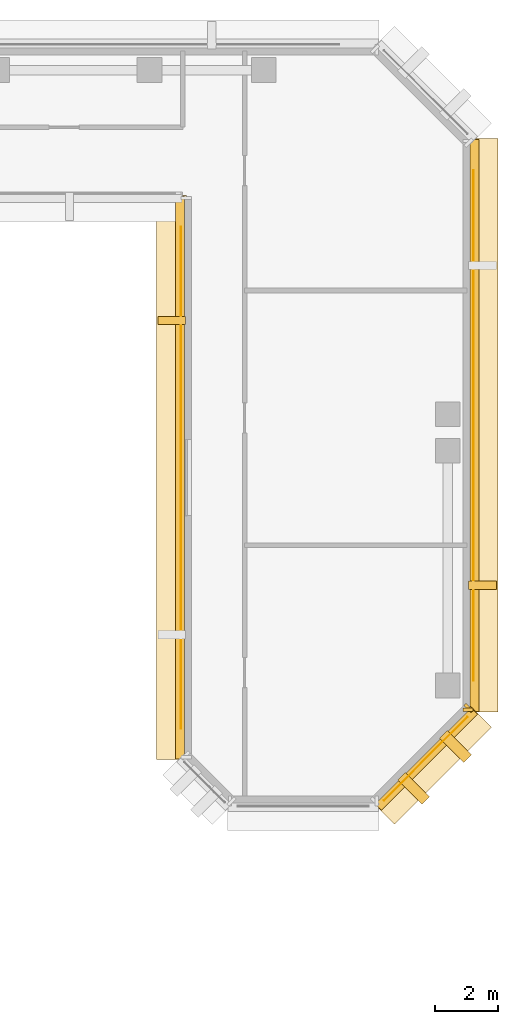
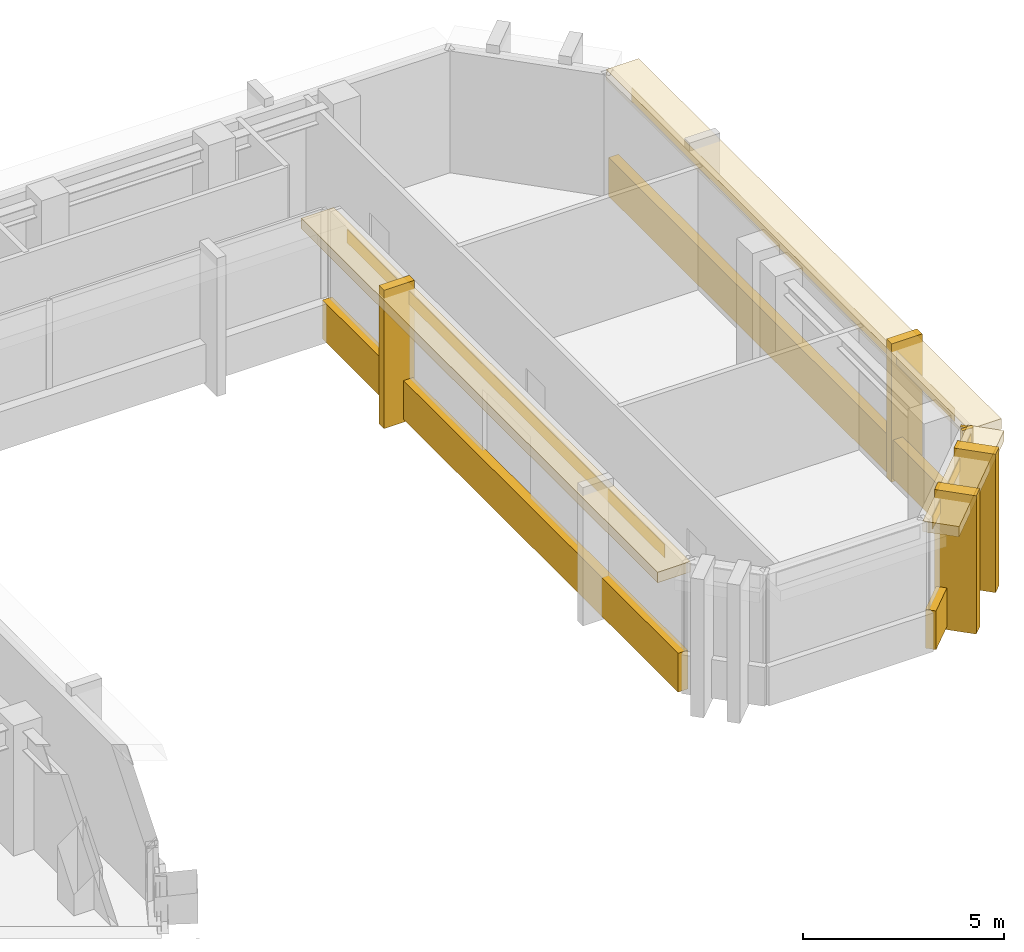
# One storey, part 9 of 11: 15 coverings.
"""IFC4 building model written with IfcOpenShell, lengths in metres."""

from ifc_helpers import new_model, si_unit, direction, frame, origin, origin_2d, place, context, subcontext, project, spatial, rectangle, extrude, material, layer, layer_set, type_object, element, save


model = new_model("IFC4")

# Units and contexts
model_context = context("Model", 3, precision=1e-05, world=origin(), true_north=direction((0.0, 1.0)))
body_context = subcontext(model_context, "Body", "Model", "MODEL_VIEW")
ifc_project = project(units=[si_unit("LENGTHUNIT", "METRE"), si_unit("AREAUNIT", "SQUARE_METRE"), si_unit("VOLUMEUNIT", "CUBIC_METRE"), si_unit("PLANEANGLEUNIT", "RADIAN"), si_unit("MASSUNIT", "GRAM", prefix="KILO")], contexts=[model_context])

# Site, building, storey
site_placement = place(None, origin())
site = spatial("IfcSite", under=ifc_project, at=site_placement, CompositionType="ELEMENT")
building_placement = place(site_placement, origin())
building = spatial("IfcBuilding", under=site, at=building_placement, Name="Kefirva Bronze Tower", CompositionType="ELEMENT")
storey_placement = place(building_placement, frame((0.0, 0.0, 223.739990234375)))
storey = spatial("IfcBuildingStorey", under=building, at=storey_placement, Name="L54", CompositionType="ELEMENT", Elevation=223.739990234375)

# Coverings
ifc_material = material(Name="Bronze anodised aluminium", Category="aluminium")
ifc_layer_1 = layer(ifc_material, 0.02001953125, Name="Bronze anodised aluminium")
ifc_layer_set_1 = layer_set([ifc_layer_1], Name="Bronze anodised aluminium")
covering_type_1 = type_object("IfcCoveringType", Name="Anodised Bronze Spandrel Cladding 20mm", PredefinedType="CLADDING", material=ifc_layer_set_1)
covering_1_placement = place(storey_placement, frame((40.989990234375, 32.35009765625, 3.2900390625), z_axis=(0.0, 0.0, 1.0), x_axis=(0.0, -1.0, 0.0)))
element("IfcCovering", 1, at=covering_1_placement, inside=storey, type_object=covering_type_1, Name="L54 Bronze Spandrel Cladding 5", PredefinedType="CLADDING", context=body_context, shape_type="SweptSolid", body=[
    extrude(rectangle(XDim=15.8310546875, YDim=0.02001953125, at=origin_2d()), origin(), (0.0, 0.0, 1.0), 0.39990234375),
])
covering_2_placement = place(storey_placement, frame((40.9599609375, 32.35009765625, -0.16015625), z_axis=(0.0, 0.0, 1.0), x_axis=(0.0, -1.0, 0.0)))
element("IfcCovering", 2, at=covering_2_placement, inside=storey, type_object=covering_type_1, Name="L54 Streamline Horizontal Spandrel Band 7", PredefinedType="CLADDING", context=body_context, shape_type="SweptSolid", body=[
    extrude(rectangle(XDim=17.739990234375, YDim=0.280029296875, at=origin_2d()), origin(), (0.0, 0.0, 1.0), 1.179931640625),
])
covering_3_placement = place(storey_placement, frame((48.70703125, 23.492919921875, 3.2900390625), z_axis=(0.0, 0.0, 1.0), x_axis=(0.707106781187, 0.707106781187, 0.0)))
element("IfcCovering", 3, at=covering_3_placement, inside=storey, type_object=covering_type_1, Name="L54 Bronze Spandrel Cladding 8", PredefinedType="CLADDING", context=body_context, shape_type="SweptSolid", body=[
    extrude(rectangle(XDim=3.719482421875, YDim=0.02001953125, at=origin_2d()), origin(), (0.0, 0.0, 1.0), 0.39990234375),
])
covering_4_placement = place(storey_placement, frame((50.06201171875, 25.08837890625, 0.0), z_axis=(0.0, 0.0, 1.0), x_axis=(0.707106781187, 0.707106781187, 0.0)))
element("IfcCovering", 4, at=covering_4_placement, inside=storey, type_object=covering_type_1, Name="L54 Facade Joint Closure Panel 8E", PredefinedType="CLADDING", context=body_context, shape_type="SweptSolid", body=[
    extrude(rectangle(XDim=0.10009765625, YDim=0.320068359375, at=origin_2d()), origin(), (0.0, 0.0, 1.0), 3.7099609375),
])
covering_5_placement = place(storey_placement, frame((48.728271484375, 23.4716796875, -0.16015625), z_axis=(0.0, 0.0, 1.0), x_axis=(0.707106781187, 0.707106781187, 0.0)))
element("IfcCovering", 5, at=covering_5_placement, inside=storey, type_object=covering_type_1, Name="L54 Streamline Horizontal Spandrel Band 10", PredefinedType="CLADDING", context=body_context, shape_type="SweptSolid", body=[
    extrude(rectangle(XDim=4.28271484375, YDim=0.280029296875, at=origin_2d()), origin(), (0.0, 0.0, 1.0), 1.179931640625),
])
covering_6_placement = place(storey_placement, frame((50.2099609375, 34.0, 3.2900390625), z_axis=(0.0, 0.0, 1.0), x_axis=(0.0, 1.0, 0.0)))
element("IfcCovering", 6, at=covering_6_placement, inside=storey, type_object=covering_type_1, Name="L54 Bronze Spandrel Cladding 9", PredefinedType="CLADDING", context=body_context, shape_type="SweptSolid", body=[
    extrude(rectangle(XDim=16.10107421875, YDim=0.02001953125, at=origin_2d()), origin(), (0.0, 0.0, 1.0), 0.39990234375),
])
covering_7_placement = place(storey_placement, frame((50.0400390625, 25.034912109375, 0.0), z_axis=(0.0, 0.0, 1.0), x_axis=(0.0, 1.0, 0.0)))
element("IfcCovering", 7, at=covering_7_placement, inside=storey, type_object=covering_type_1, Name="L54 Facade Joint Closure Panel 9S", PredefinedType="CLADDING", context=body_context, shape_type="SweptSolid", body=[
    extrude(rectangle(XDim=0.10009765625, YDim=0.320068359375, at=origin_2d()), origin(), (0.0, 0.0, 1.0), 3.7099609375),
])
covering_8_placement = place(storey_placement, frame((50.239990234375, 34.0, -0.16015625), z_axis=(0.0, 0.0, 1.0), x_axis=(0.0, 1.0, 0.0)))
element("IfcCovering", 8, at=covering_8_placement, inside=storey, type_object=covering_type_1, Name="L54 Streamline Horizontal Spandrel Band 11", PredefinedType="CLADDING", context=body_context, shape_type="SweptSolid", body=[
    extrude(rectangle(XDim=18.0400390625, YDim=0.280029296875, at=origin_2d()), origin(), (0.0, 0.0, 1.0), 1.179931640625),
])
ifc_layer_2 = layer(ifc_material, 0.179931640625, Name="Bronze anodised aluminium")
ifc_layer_set_2 = layer_set([ifc_layer_2], Name="Bronze anodised aluminium")
covering_type_2 = type_object("IfcCoveringType", Name="Streamline Bronze Sunshade Eyebrow Cladding 180mm", PredefinedType="CLADDING", material=ifc_layer_set_2)
covering_9_placement = place(storey_placement, frame((40.68994140625, 32.35009765625, 3.39013671875), z_axis=(0.0, 0.0, 1.0), x_axis=(0.0, -1.0, 0.0)))
element("IfcCovering", 9, at=covering_9_placement, inside=storey, type_object=covering_type_2, Name="L54 Streamline Bronze Sunshade Eyebrow 7", PredefinedType="CLADDING", context=body_context, shape_type="SweptSolid", body=[
    extrude(rectangle(XDim=17.780029296875, YDim=0.93994140625, at=origin_2d()), origin(), (0.0, 0.0, 1.0), 0.320068359375),
])
covering_10_placement = place(storey_placement, frame((48.919189453125, 23.28076171875, 3.39013671875), z_axis=(0.0, 0.0, 1.0), x_axis=(0.707106781187, 0.707106781187, 0.0)))
element("IfcCovering", 10, at=covering_10_placement, inside=storey, type_object=covering_type_2, Name="L54 Streamline Bronze Sunshade Eyebrow 10", PredefinedType="CLADDING", context=body_context, shape_type="SweptSolid", body=[
    extrude(rectangle(XDim=4.322509765625, YDim=0.93994140625, at=origin_2d()), origin(), (0.0, 0.0, 1.0), 0.320068359375),
])
covering_11_placement = place(storey_placement, frame((50.510009765625, 34.0, 3.39013671875), z_axis=(0.0, 0.0, 1.0), x_axis=(0.0, 1.0, 0.0)))
element("IfcCovering", 11, at=covering_11_placement, inside=storey, type_object=covering_type_2, Name="L54 Streamline Bronze Sunshade Eyebrow 11", PredefinedType="CLADDING", context=body_context, shape_type="SweptSolid", body=[
    extrude(rectangle(XDim=18.080078125, YDim=0.93994140625, at=origin_2d()), origin(), (0.0, 0.0, 1.0), 0.320068359375),
])
ifc_layer_3 = layer(ifc_material, 0.260009765625, Name="Bronze anodised aluminium")
ifc_layer_set_3 = layer_set([ifc_layer_3], Name="Bronze anodised aluminium")
covering_type_3 = type_object("IfcCoveringType", Name="Unbroken Bronze Buttress Fin Cladding 260mm", PredefinedType="CLADDING", material=ifc_layer_set_3)
covering_12_placement = place(storey_placement, frame((40.699951171875, 37.305908203125, -0.25), z_axis=(0.0, 0.0, 1.0), x_axis=(0.0, -1.0, 0.0)))
element("IfcCovering", 12, at=covering_12_placement, inside=storey, type_object=covering_type_3, Name="L54 Unbroken Vertical Bronze Rib Fin 13", PredefinedType="CLADDING", context=body_context, shape_type="SweptSolid", body=[
    extrude(rectangle(XDim=0.260009765625, YDim=0.8798828125, at=origin_2d()), origin(), (0.0, 0.0, 1.0), 4.2099609375),
])
for number, where, z_axis, x_axis, name in (
    (13, (48.32275390625, 22.55712890625, -0.25), (0.0, 0.0, 1.0), (0.707106781187, 0.707106781187, 0.0), "L54 Chamfered Corner Buttress Fin Cladding 17"),
    (14, (49.642822265625, 23.877197265625, -0.25), (0.0, 0.0, 1.0), (0.707106781187, 0.707106781187, 0.0), "L54 Chamfered Corner Buttress Fin Cladding 18"),
):
    element("IfcCovering", number, at=place(storey_placement, frame(where, z_axis=z_axis, x_axis=x_axis)), inside=storey, type_object=covering_type_3, Name=name, PredefinedType="CLADDING", context=body_context, shape_type="SweptSolid", body=[
        extrude(rectangle(XDim=0.340087890625, YDim=1.080078125, at=origin_2d()), origin(), (0.0, 0.0, 1.0), 4.2099609375),
    ])
covering_13_placement = place(storey_placement, frame((50.5, 28.9599609375, -0.25), z_axis=(0.0, 0.0, 1.0), x_axis=(0.0, 1.0, 0.0)))
element("IfcCovering", 15, at=covering_13_placement, inside=storey, type_object=covering_type_3, Name="L54 Unbroken Vertical Bronze Rib Fin 19", PredefinedType="CLADDING", context=body_context, shape_type="SweptSolid", body=[
    extrude(rectangle(XDim=0.260009765625, YDim=0.8798828125, at=origin_2d()), origin(), (0.0, 0.0, 1.0), 4.2099609375),
])

save(model, "model.ifc")
